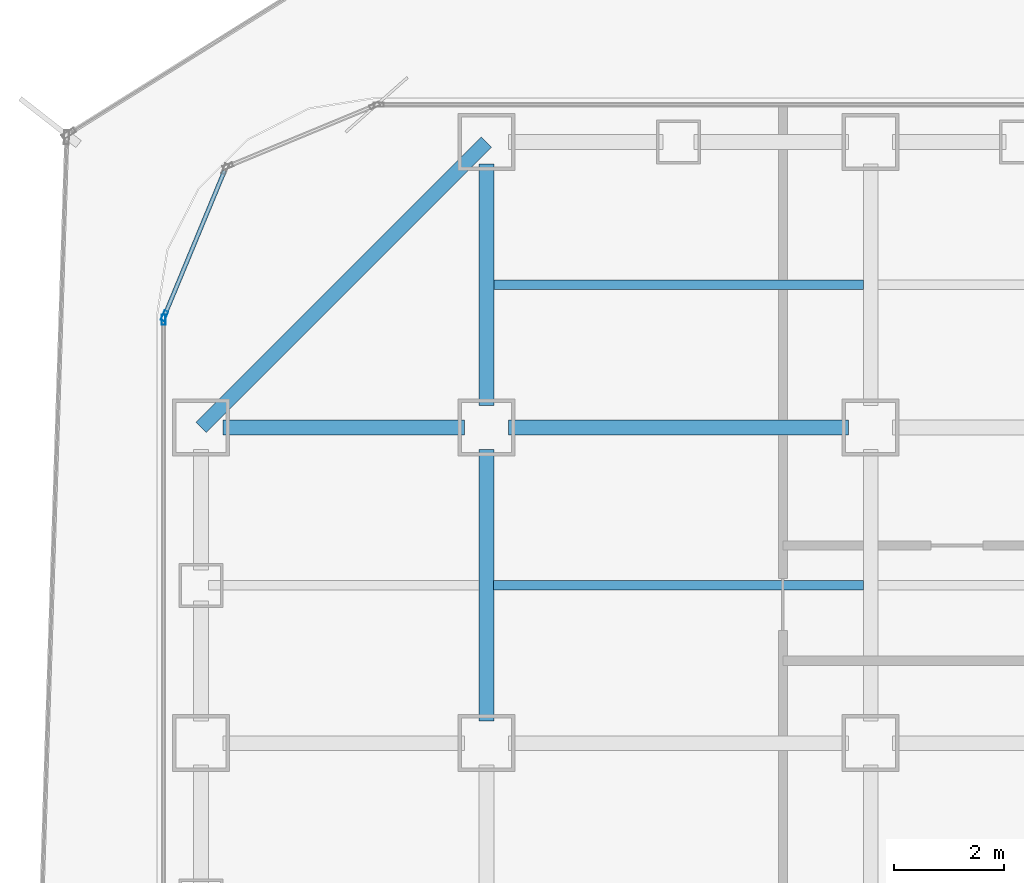
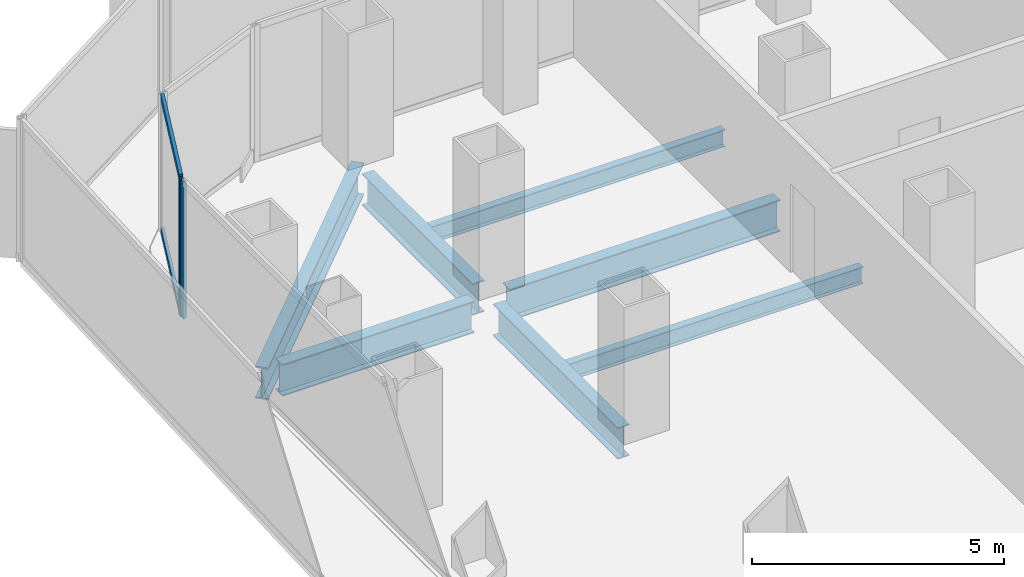
# One storey, part 10 of 21: 7 beams, 4 members, 2 elements without a shape of their own.
"""IFC4 building model written with IfcOpenShell, lengths in metres."""

from ifc_helpers import new_model, si_unit, direction, frame, origin, origin_2d, place, context, subcontext, project, spatial, hollow_rectangle, i_section, extrude, source, transform, mapped, material, layer, layer_set, material_profile, profile_set, type_object, element, aggregate, save


model = new_model("IFC4")

# Units and contexts
model_context = context("Model", 3, precision=1e-05, world=origin(), true_north=direction((0.0, 1.0)))
body_context = subcontext(model_context, "Body", "Model", "MODEL_VIEW")
ifc_project = project(units=[si_unit("LENGTHUNIT", "METRE"), si_unit("AREAUNIT", "SQUARE_METRE"), si_unit("VOLUMEUNIT", "CUBIC_METRE"), si_unit("PLANEANGLEUNIT", "RADIAN"), si_unit("MASSUNIT", "GRAM", prefix="KILO")], contexts=[model_context])

# Site, building, storey
site_placement = place(None, origin())
site = spatial("IfcSite", under=ifc_project, at=site_placement, CompositionType="ELEMENT")
building_placement = place(site_placement, origin())
building = spatial("IfcBuilding", under=site, at=building_placement, Name="Kolveth Station Tower", CompositionType="ELEMENT")
storey_placement = place(building_placement, frame((0.0, 0.0, 33.300048828125)))
storey = spatial("IfcBuildingStorey", under=building, at=storey_placement, Name="L08", CompositionType="ELEMENT", Elevation=33.300048828125)

# Beams
ifc_material_1 = material(Name="Steel S355", Category="steel")
ifc_material_profile_1 = material_profile(ifc_material_1, i_section(OverallWidth=0.26904296875, OverallDepth=0.77490234375, WebThickness=0.01708984375, FlangeThickness=0.0283203125, at=origin_2d()), Name="W760x220")
ifc_profile_set_1 = profile_set([ifc_material_profile_1], Name="Steel S355")
beam_type_1 = type_object("IfcBeamType", Name="Beam_SP1", PredefinedType="SPANDREL", material=ifc_profile_set_1)
shared_shape_1 = source(origin(), body_context, "Body", "SweptSolid", [
    extrude(i_section(OverallWidth=0.26904296875, OverallDepth=0.77490234375, WebThickness=0.01708984375, FlangeThickness=0.0283203125, at=origin_2d()), origin(), (0.0, 0.0, 1.0), 7.353759765625),
])
beam_1_placement = place(storey_placement, frame((6.0, 39.699951171875, -0.66748046875), z_axis=(-0.707106781187, -0.707106781187, 0.0), x_axis=(0.707106781187, -0.707106781187, 0.0)))
element("IfcBeam", 1, at=beam_1_placement, inside=storey, type_object=beam_type_1, Name="L08 Corner Edge Girder BM-L08-CNR-NW", PredefinedType="SPANDREL", context=body_context, shape_type="MappedRepresentation", body=[
    mapped(shared_shape_1, transform((0.0, 0.0, 0.0), x_axis=(1.0, 0.0, 0.0), y_axis=(0.0, 1.0, 0.0), z_axis=(0.0, 0.0, 1.0), scale=1.0)),
])
ifc_material_profile_2 = material_profile(ifc_material_1, i_section(OverallWidth=0.26708984375, OverallDepth=0.76611328125, WebThickness=0.014892578125, FlangeThickness=0.023681640625, at=origin_2d()), Name="W760x185")
ifc_profile_set_2 = profile_set([ifc_material_profile_2], Name="Steel S355")
beam_type_2 = type_object("IfcBeamType", Name="Beam_B3", PredefinedType="BEAM", material=ifc_profile_set_2)
shared_shape_2 = source(origin(), body_context, "Body", "SweptSolid", [
    extrude(i_section(OverallWidth=0.26708984375, OverallDepth=0.76611328125, WebThickness=0.014892578125, FlangeThickness=0.023681640625, at=origin_2d()), origin(), (0.0, 0.0, 1.0), 4.400146484375),
])
for number, where, z_axis, x_axis, name in (
    (2, (1.199951171875, 34.5, -0.6630859375), (1.0, 0.0, 0.0), (0.0, 1.0, 0.0), "L08 Primary Girder BM-L08-GY345-1"),
    (3, (6.0, 34.89990234375, -0.6630859375), (0.0, 1.0, 0.0), (-1.0, 0.0, 0.0), "L08 Primary Girder BM-L08-GX60-7"),
):
    element("IfcBeam", number, at=place(storey_placement, frame(where, z_axis=z_axis, x_axis=x_axis)), inside=storey, type_object=beam_type_2, Name=name, PredefinedType="BEAM", context=body_context, shape_type="MappedRepresentation", body=[
        mapped(shared_shape_2, transform((0.0, 0.0, 0.0), x_axis=(1.0, 0.0, 0.0), y_axis=(0.0, 1.0, 0.0), z_axis=(0.0, 0.0, 1.0), scale=1.0)),
    ])
shared_shape_3 = source(origin(), body_context, "Body", "SweptSolid", [
    extrude(i_section(OverallWidth=0.26708984375, OverallDepth=0.76611328125, WebThickness=0.014892578125, FlangeThickness=0.023681640625, at=origin_2d()), origin(), (0.0, 0.0, 1.0), 6.2001953125),
])
beam_2_placement = place(storey_placement, frame((6.39990234375, 34.5, -0.6630859375), z_axis=(1.0, 0.0, 0.0), x_axis=(0.0, 1.0, 0.0)))
element("IfcBeam", 4, at=beam_2_placement, inside=storey, type_object=beam_type_2, Name="L08 Primary Girder BM-L08-GY345-2", PredefinedType="BEAM", context=body_context, shape_type="MappedRepresentation", body=[
    mapped(shared_shape_3, transform((0.0, 0.0, 0.0), x_axis=(1.0, 0.0, 0.0), y_axis=(0.0, 1.0, 0.0), z_axis=(0.0, 0.0, 1.0), scale=1.0)),
])
shared_shape_4 = source(origin(), body_context, "Body", "SweptSolid", [
    extrude(i_section(OverallWidth=0.26708984375, OverallDepth=0.76611328125, WebThickness=0.014892578125, FlangeThickness=0.023681640625, at=origin_2d()), origin(), (0.0, 0.0, 1.0), 4.9501953125),
])
beam_3_placement = place(storey_placement, frame((6.0, 29.14990234375, -0.6630859375), z_axis=(0.0, 1.0, 0.0), x_axis=(-1.0, 0.0, 0.0)))
element("IfcBeam", 5, at=beam_3_placement, inside=storey, type_object=beam_type_2, Name="L08 Primary Girder BM-L08-GX60-6", PredefinedType="BEAM", context=body_context, shape_type="MappedRepresentation", body=[
    mapped(shared_shape_4, transform((0.0, 0.0, 0.0), x_axis=(1.0, 0.0, 0.0), y_axis=(0.0, 1.0, 0.0), z_axis=(0.0, 0.0, 1.0), scale=1.0)),
])
ifc_material_profile_3 = material_profile(ifc_material_1, i_section(OverallWidth=0.177978515625, OverallDepth=0.406982421875, WebThickness=0.0078125, FlangeThickness=0.0126953125, at=origin_2d()), Name="W410x60")
ifc_profile_set_3 = profile_set([ifc_material_profile_3], Name="Steel S355")
beam_type_3 = type_object("IfcBeamType", Name="Beam_J1", PredefinedType="JOIST", material=ifc_profile_set_3)
shared_shape_5 = source(origin(), body_context, "Body", "SweptSolid", [
    extrude(i_section(OverallWidth=0.177978515625, OverallDepth=0.406982421875, WebThickness=0.0078125, FlangeThickness=0.0126953125, at=origin_2d()), origin(), (0.0, 0.0, 1.0), 6.73681640625),
])
for number, where, z_axis, x_axis, name in (
    (6, (6.131591796875, 31.625, -0.483642578125), (1.0, 0.0, 0.0), (0.0, 1.0, 0.0), "L08 Secondary Joist JST-L08-2-6"),
    (7, (6.131591796875, 37.10009765625, -0.483642578125), (1.0, 0.0, 0.0), (0.0, 1.0, 0.0), "L08 Secondary Joist JST-L08-2-7"),
):
    element("IfcBeam", number, at=place(storey_placement, frame(where, z_axis=z_axis, x_axis=x_axis)), inside=storey, type_object=beam_type_3, Name=name, PredefinedType="JOIST", context=body_context, shape_type="MappedRepresentation", body=[
        mapped(shared_shape_5, transform((0.0, 0.0, 0.0), x_axis=(1.0, 0.0, 0.0), y_axis=(0.0, 1.0, 0.0), z_axis=(0.0, 0.0, 1.0), scale=1.0)),
    ])

# Curtain wall, member
ifc_material_2 = material(Name="Aluminium 6063-T6 and low-E dark glass", Category="aluminium")
ifc_layer = layer(ifc_material_2, 0.179931640625)
ifc_layer_set = layer_set([ifc_layer], Name="Aluminium 6063-T6 and low-E dark glass")
curtain_wall_type = type_object("IfcCurtainWallType", Name="CurtainWall_CW-Z1", PredefinedType="NOTDEFINED", material=ifc_layer_set)
curtain_wall_1_placement = place(storey_placement, origin())
curtain_wall_1 = element("IfcCurtainWall", 8, at=curtain_wall_1_placement, inside=storey, type_object=curtain_wall_type, Name="L08 Inner Thermal Curtain Wall 8", PredefinedType="NOTDEFINED")
ifc_material_3 = material(Name="Black anodized aluminium 6063-T6", Category="aluminium")
ifc_material_profile_4 = material_profile(ifc_material_3, hollow_rectangle(XDim=0.074951171875, YDim=0.18994140625, WallThickness=0.0048828125, at=origin_2d()), Name="ALU-75x190x5")
ifc_profile_set_4 = profile_set([ifc_material_profile_4], Name="Black anodized aluminium 6063-T6")
member_type_1 = type_object("IfcMemberType", Name="Mullion_ML1", PredefinedType="MULLION", material=ifc_profile_set_4)
shared_shape_6 = source(origin(), body_context, "Body", "SweptSolid", [
    extrude(hollow_rectangle(XDim=0.074951171875, YDim=0.18994140625, WallThickness=0.0048828125, at=origin_2d()), origin(), (0.0, 0.0, 1.0), 3.320068359375),
])
member_1_placement = place(storey_placement, frame((0.13427734375, 36.53466796875, 0.0), z_axis=(0.0, 0.0, 1.0), x_axis=(0.923883857728, -0.382672990201, 0.0)))
member_1 = element("IfcMember", 9, at=member_1_placement, type_object=member_type_1, Name="CW-Z1 mullion 2", PredefinedType="MULLION", context=body_context, shape_type="MappedRepresentation", body=[
    mapped(shared_shape_6, transform((0.0, 0.0, 0.0), x_axis=(1.0, 0.0, 0.0), y_axis=(0.0, 1.0, 0.0), z_axis=(0.0, 0.0, 1.0), scale=1.0)),
])

curtain_wall_2_placement = place(storey_placement, origin())
curtain_wall_2 = element("IfcCurtainWall", 10, at=curtain_wall_2_placement, inside=storey, type_object=curtain_wall_type, Name="L08 Inner Thermal Curtain Wall 9", PredefinedType="NOTDEFINED")
member_2_placement = place(storey_placement, frame((0.1201171875, 36.46240234375, 0.0), z_axis=(0.0, 0.0, 1.0), x_axis=(1.0, 0.0, 0.0)))
member_2 = element("IfcMember", 11, at=member_2_placement, type_object=member_type_1, Name="CW-Z1 mullion 1", PredefinedType="MULLION", context=body_context, shape_type="MappedRepresentation", body=[
    mapped(shared_shape_6, transform((0.0, 0.0, 0.0), x_axis=(1.0, 0.0, 0.0), y_axis=(0.0, 1.0, 0.0), z_axis=(0.0, 0.0, 1.0), scale=1.0)),
])
aggregate(curtain_wall_2, [member_2])

# Member
ifc_material_profile_5 = material_profile(ifc_material_3, hollow_rectangle(XDim=0.074951171875, YDim=0.159912109375, WallThickness=0.0048828125, at=origin_2d()), Name="ALU-75x160x5")
ifc_profile_set_5 = profile_set([ifc_material_profile_5], Name="Black anodized aluminium 6063-T6")
member_type_2 = type_object("IfcMemberType", Name="Transom_TR1", PredefinedType="USERDEFINED", material=ifc_profile_set_5)
shared_shape_7 = source(origin(), body_context, "Body", "SweptSolid", [
    extrude(hollow_rectangle(XDim=0.074951171875, YDim=0.159912109375, WallThickness=0.0048828125, at=origin_2d()), origin(), (0.0, 0.0, 1.0), 2.819580078125),
])
member_3_placement = place(storey_placement, frame((1.227783203125, 39.17431640625, 0.037353515625), z_axis=(-0.382708655389, -0.923869084389, 0.0), x_axis=(0.923869084389, -0.382708655389, 0.0)))
member_3 = element("IfcMember", 12, at=member_3_placement, type_object=member_type_2, Name="CW-Z1 transom 1.1", ObjectType="TRANSOM", PredefinedType="USERDEFINED", context=body_context, shape_type="MappedRepresentation", body=[
    mapped(shared_shape_7, transform((0.0, 0.0, 0.0), x_axis=(1.0, 0.0, 0.0), y_axis=(0.0, 1.0, 0.0), z_axis=(0.0, 0.0, 1.0), scale=1.0)),
])

member_4_placement = place(storey_placement, frame((1.227783203125, 39.17431640625, 3.282470703125), z_axis=(-0.382708655389, -0.923869084389, 0.0), x_axis=(0.923869084389, -0.382708655389, 0.0)))
member_4 = element("IfcMember", 13, at=member_4_placement, type_object=member_type_2, Name="CW-Z1 transom 1.2", ObjectType="TRANSOM", PredefinedType="USERDEFINED", context=body_context, shape_type="MappedRepresentation", body=[
    mapped(shared_shape_7, transform((0.0, 0.0, 0.0), x_axis=(1.0, 0.0, 0.0), y_axis=(0.0, 1.0, 0.0), z_axis=(0.0, 0.0, 1.0), scale=1.0)),
])

aggregate(curtain_wall_1, [member_1, member_3, member_4])

save(model, "model.ifc")
